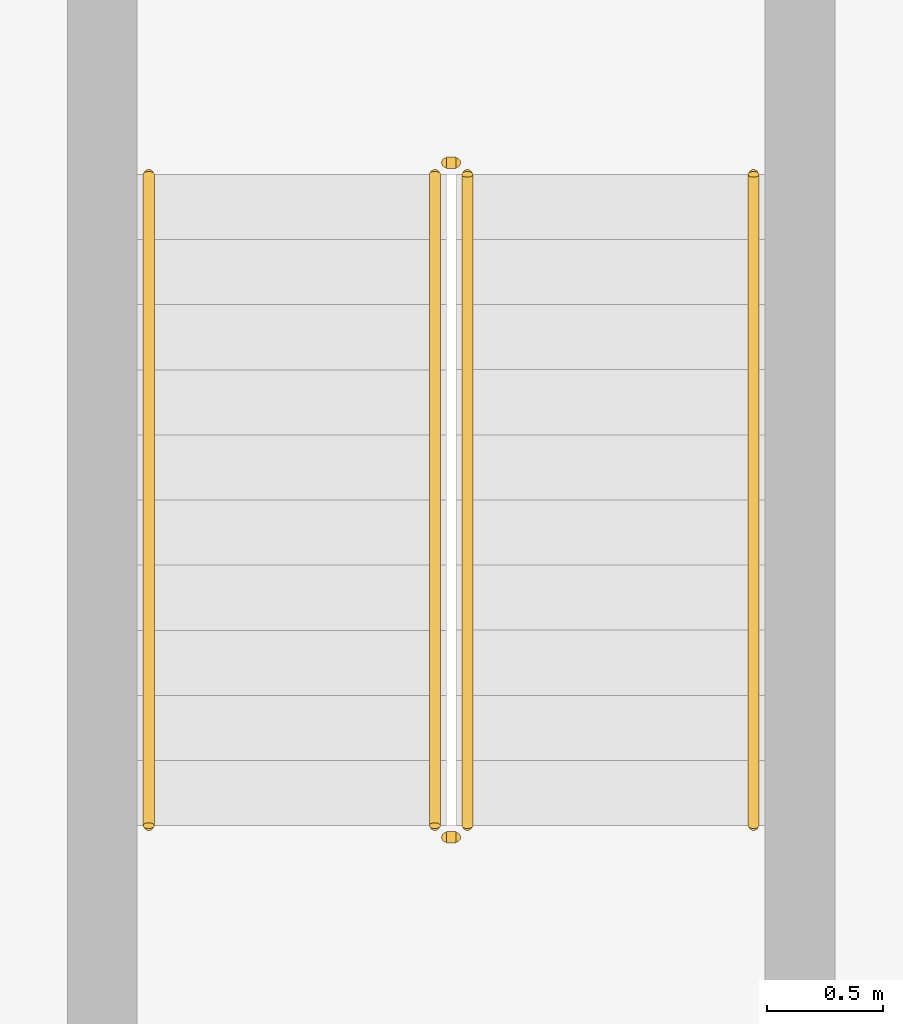
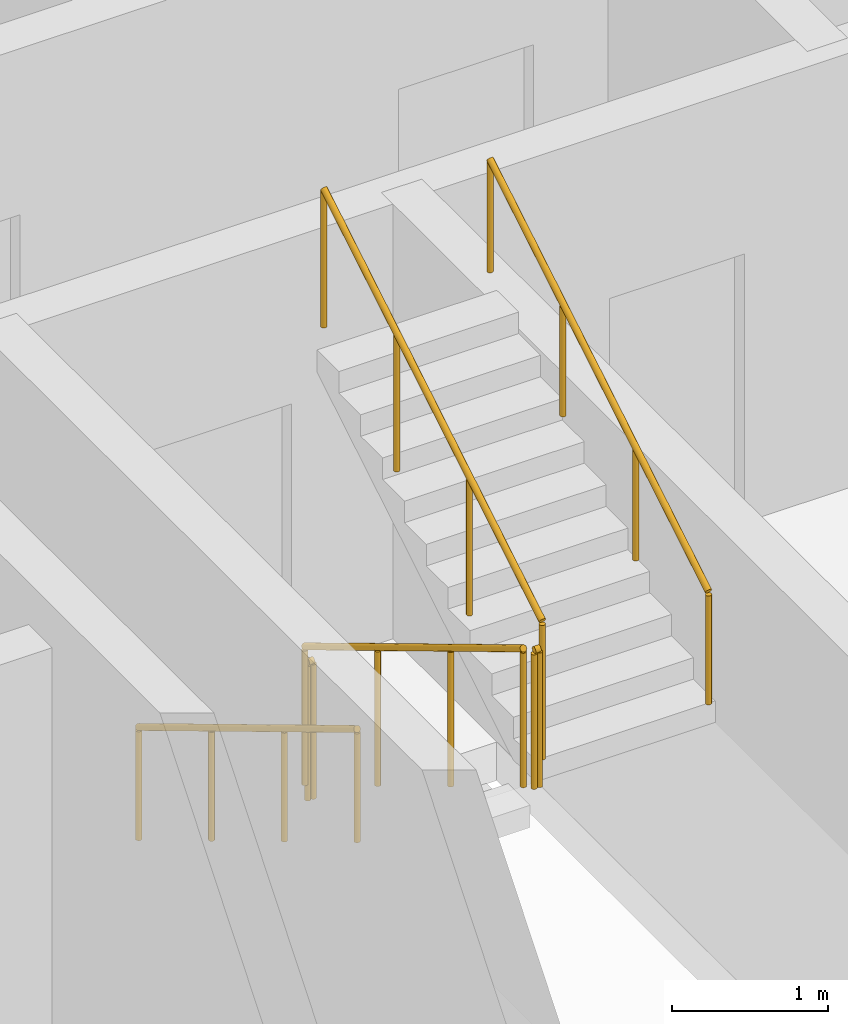
# One storey, part 18 of 19: 6 railings.
"""IFC4 building model written with IfcOpenShell, lengths in metres."""

from ifc_helpers import new_model, si_unit, direction, frame, origin, origin_2d, place, context, subcontext, project, spatial, circle, extrude, material, type_object, element, save


model = new_model("IFC4")

# Units and contexts
model_context = context("Model", 3, precision=1e-05, world=origin(), true_north=direction((0.0, 1.0)))
body_context = subcontext(model_context, "Body", "Model", "MODEL_VIEW")
ifc_project = project(units=[si_unit("LENGTHUNIT", "METRE"), si_unit("AREAUNIT", "SQUARE_METRE"), si_unit("VOLUMEUNIT", "CUBIC_METRE"), si_unit("PLANEANGLEUNIT", "RADIAN"), si_unit("MASSUNIT", "GRAM", prefix="KILO")], contexts=[model_context])

# Site, building, storey
site_placement = place(None, origin())
site = spatial("IfcSite", under=ifc_project, at=site_placement, CompositionType="ELEMENT")
building_placement = place(site_placement, origin())
building = spatial("IfcBuilding", under=site, at=building_placement, Name="Ogive Portal Towers", CompositionType="ELEMENT")
storey_placement = place(building_placement, frame((0.0, 0.0, 199.5)))
storey = spatial("IfcBuildingStorey", under=building, at=storey_placement, Name="L49", CompositionType="ELEMENT", Elevation=199.5)

# Railings
ifc_material_1 = material(Name="Stainless steel balustrade", Category="steel")
railing_type_1 = type_object("IfcRailingType", Name="INT-GUARD", PredefinedType="GUARDRAIL", material=ifc_material_1)
railing_1_placement = place(storey_placement, frame((88.280029296875, 29.169921875, 0.168212890625)))
element("IfcRailing", 1, at=railing_1_placement, inside=storey, type_object=railing_type_1, Name="L49 ST-A4 stair guard 1", PredefinedType="GUARDRAIL", context=body_context, shape_type="SweptSolid", body=[
    extrude(circle(Radius=0.02392578125, at=origin_2d()), frame((0.0, 0.0, 1.076171875), z_axis=(0.0, -0.857222391501, 0.514946377315), x_axis=(1.0, 0.0, 0.0)), (0.0, 0.0, 1.0), 3.26611328125),
    extrude(circle(Radius=0.02099609375, at=origin_2d()), origin(), (0.0, 0.0, 1.0), 1.052001953125),
    extrude(circle(Radius=0.02099609375, at=origin_2d()), frame((0.0, -0.933349609375, 0.560546875)), (0.0, 0.0, 1.0), 1.052001953125),
    extrude(circle(Radius=0.02099609375, at=origin_2d()), frame((0.0, -1.866455078125, 1.121337890625)), (0.0, 0.0, 1.0), 1.052001953125),
    extrude(circle(Radius=0.02099609375, at=origin_2d()), frame((0.0, -2.7998046875, 1.681884765625)), (0.0, 0.0, 1.0), 1.052001953125),
])
railing_2_placement = place(storey_placement, frame((88.330078125, 26.320068359375, 1.85009765625)))
element("IfcRailing", 2, at=railing_2_placement, inside=storey, type_object=railing_type_1, Name="L49 ST-A4 stair guard 2", PredefinedType="GUARDRAIL", context=body_context, shape_type="SweptSolid", body=[
    extrude(circle(Radius=0.02392578125, at=origin_2d()), frame((0.0, 0.0, 1.076171875), z_axis=(1.0, 0.0, 0.0), x_axis=(0.0, 1.0, 0.0)), (0.0, 0.0, 1.0), 0.0400390625),
    extrude(circle(Radius=0.02099609375, at=origin_2d()), origin(), (0.0, 0.0, 1.0), 1.052001953125),
    extrude(circle(Radius=0.02099609375, at=origin_2d()), frame((0.0400390625, 0.0, 0.0)), (0.0, 0.0, 1.0), 1.052001953125),
])
railing_3_placement = place(storey_placement, frame((88.419921875, 26.3701171875, 2.01806640625)))
element("IfcRailing", 3, at=railing_3_placement, inside=storey, type_object=railing_type_1, Name="L49 ST-A4 stair guard 3", PredefinedType="GUARDRAIL", context=body_context, shape_type="SweptSolid", body=[
    extrude(circle(Radius=0.02392578125, at=origin_2d()), frame((0.0, 0.0, 1.076171875), z_axis=(0.0, 0.857222391501, 0.514946377315), x_axis=(-1.0, 0.0, 0.0)), (0.0, 0.0, 1.0), 3.26611328125),
    extrude(circle(Radius=0.02099609375, at=origin_2d()), origin(), (0.0, 0.0, 1.0), 1.052001953125),
    extrude(circle(Radius=0.02099609375, at=origin_2d()), frame((0.0, 0.933349609375, 0.560546875)), (0.0, 0.0, 1.0), 1.052001953125),
    extrude(circle(Radius=0.02099609375, at=origin_2d()), frame((0.0, 1.866455078125, 1.121337890625)), (0.0, 0.0, 1.0), 1.052001953125),
    extrude(circle(Radius=0.02099609375, at=origin_2d()), frame((0.0, 2.7998046875, 1.681884765625)), (0.0, 0.0, 1.0), 1.052001953125),
])
railing_4_placement = place(storey_placement, frame((88.330078125, 29.219970703125, 0.0)))
element("IfcRailing", 4, at=railing_4_placement, inside=storey, type_object=railing_type_1, Name="L49 ST-A4 stair guard 4", PredefinedType="GUARDRAIL", context=body_context, shape_type="SweptSolid", body=[
    extrude(circle(Radius=0.02392578125, at=origin_2d()), frame((0.0, 0.0, 1.076171875), z_axis=(1.0, 0.0, 0.0), x_axis=(0.0, 1.0, 0.0)), (0.0, 0.0, 1.0), 0.0400390625),
    extrude(circle(Radius=0.02099609375, at=origin_2d()), origin(), (0.0, 0.0, 1.0), 1.052001953125),
    extrude(circle(Radius=0.02099609375, at=origin_2d()), frame((0.0400390625, 0.0, 0.0)), (0.0, 0.0, 1.0), 1.052001953125),
])
ifc_material_2 = material(Name="Stainless steel handrail", Category="steel")
railing_type_2 = type_object("IfcRailingType", Name="INT-HANDRAIL", PredefinedType="HANDRAIL", material=ifc_material_2)
railing_5_placement = place(storey_placement, frame((87.050048828125, 29.169921875, 0.168212890625)))
element("IfcRailing", 5, at=railing_5_placement, inside=storey, type_object=railing_type_2, Name="L49 ST-A4 stair handrail 1", PredefinedType="HANDRAIL", context=body_context, shape_type="SweptSolid", body=[
    extrude(circle(Radius=0.02392578125, at=origin_2d()), frame((0.0, 0.0, 0.8759765625), z_axis=(0.0, -0.857222391501, 0.514946377315), x_axis=(1.0, 0.0, 0.0)), (0.0, 0.0, 1.0), 3.26611328125),
    extrude(circle(Radius=0.02099609375, at=origin_2d()), origin(), (0.0, 0.0, 1.0), 0.851806640625),
    extrude(circle(Radius=0.02099609375, at=origin_2d()), frame((0.0, -0.933349609375, 0.560546875)), (0.0, 0.0, 1.0), 0.851806640625),
    extrude(circle(Radius=0.02099609375, at=origin_2d()), frame((0.0, -1.866455078125, 1.121337890625)), (0.0, 0.0, 1.0), 0.851806640625),
    extrude(circle(Radius=0.02099609375, at=origin_2d()), frame((0.0, -2.7998046875, 1.681884765625)), (0.0, 0.0, 1.0), 0.851806640625),
])
railing_6_placement = place(storey_placement, frame((89.64990234375, 26.3701171875, 2.01806640625)))
element("IfcRailing", 6, at=railing_6_placement, inside=storey, type_object=railing_type_2, Name="L49 ST-A4 stair handrail 2", PredefinedType="HANDRAIL", context=body_context, shape_type="SweptSolid", body=[
    extrude(circle(Radius=0.02392578125, at=origin_2d()), frame((0.0, 0.0, 0.8759765625), z_axis=(0.0, 0.857222391501, 0.514946377315), x_axis=(-1.0, 0.0, 0.0)), (0.0, 0.0, 1.0), 3.26611328125),
    extrude(circle(Radius=0.02099609375, at=origin_2d()), origin(), (0.0, 0.0, 1.0), 0.851806640625),
    extrude(circle(Radius=0.02099609375, at=origin_2d()), frame((0.0, 0.933349609375, 0.560546875)), (0.0, 0.0, 1.0), 0.851806640625),
    extrude(circle(Radius=0.02099609375, at=origin_2d()), frame((0.0, 1.866455078125, 1.121337890625)), (0.0, 0.0, 1.0), 0.851806640625),
    extrude(circle(Radius=0.02099609375, at=origin_2d()), frame((0.0, 2.7998046875, 1.681884765625)), (0.0, 0.0, 1.0), 0.851806640625),
])

save(model, "model.ifc")
